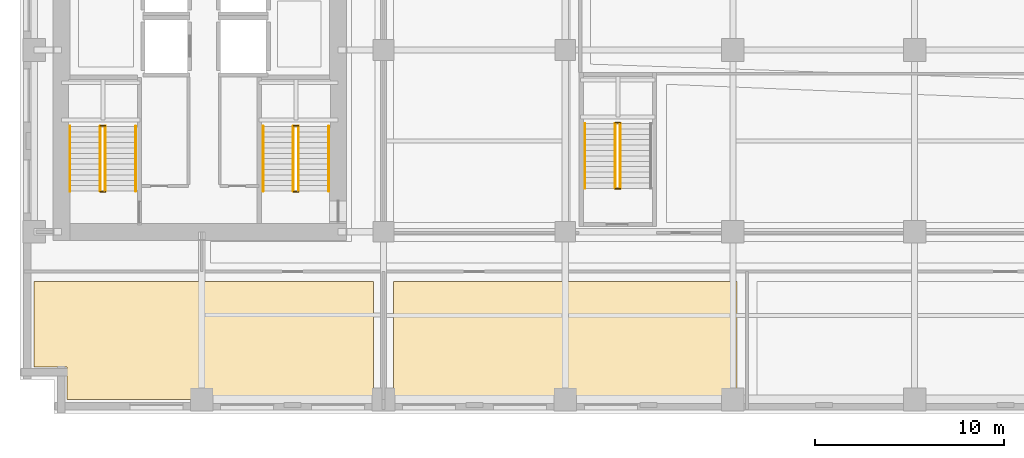
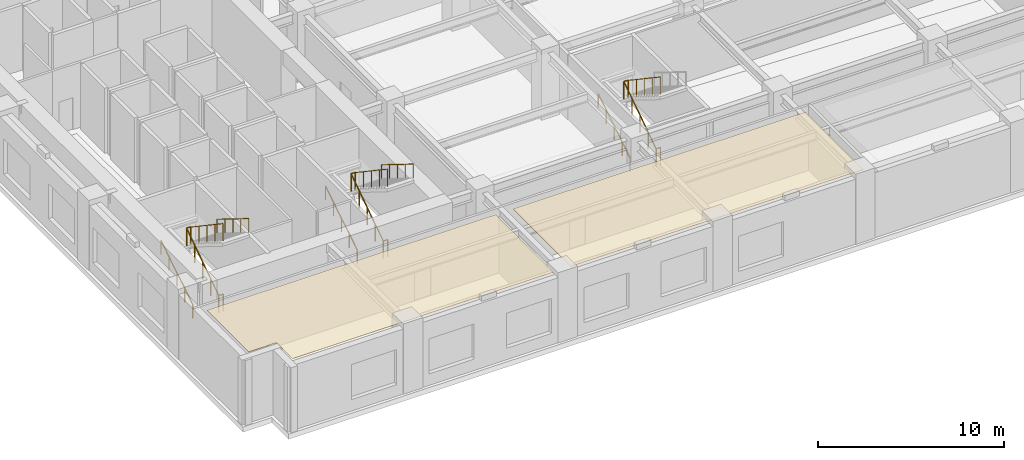
# One storey, part 18 of 24: 17 railings, 2 coverings.
"""IFC4 building model written with IfcOpenShell, lengths in metres."""

from ifc_helpers import new_model, si_unit, direction, frame, origin, origin_2d, place, context, subcontext, project, spatial, polyline, circle, outline, extrude, material, layer, layer_set, type_object, element, save


model = new_model("IFC4")

# Units and contexts
model_context = context("Model", 3, precision=1e-05, world=origin(), true_north=direction((0.0, 1.0)))
body_context = subcontext(model_context, "Body", "Model", "MODEL_VIEW")
ifc_project = project(units=[si_unit("LENGTHUNIT", "METRE"), si_unit("AREAUNIT", "SQUARE_METRE"), si_unit("VOLUMEUNIT", "CUBIC_METRE"), si_unit("PLANEANGLEUNIT", "RADIAN"), si_unit("MASSUNIT", "GRAM", prefix="KILO")], contexts=[model_context])

# Site, building, storey
site_placement = place(None, origin())
site = spatial("IfcSite", under=ifc_project, at=site_placement, CompositionType="ELEMENT")
building_placement = place(site_placement, origin())
building = spatial("IfcBuilding", under=site, at=building_placement, Name="Norrvale University Quadrangle", CompositionType="ELEMENT")
storey_placement = place(building_placement, frame((0.0, 0.0, 15.0)))
storey = spatial("IfcBuildingStorey", under=building, at=storey_placement, Name="L03", CompositionType="ELEMENT", Elevation=15.0)

# Coverings
ifc_material_1 = material(Name="Perforated Acoustic Mineral Ceiling")
ifc_layer = layer(ifc_material_1, 0.02490234375, Name="Perforated Acoustic Mineral Ceiling")
ifc_layer_set = layer_set([ifc_layer], Name="Perforated Acoustic Mineral Ceiling")
covering_type = type_object("IfcCoveringType", Name="Covering Acoustic Ceiling 25", PredefinedType="CEILING", material=ifc_layer_set)
covering_1_placement = place(storey_placement, frame((0.0, 0.0, 4.235107421875)))
element("IfcCovering", 1, at=covering_1_placement, inside=storey, type_object=covering_type, Name="Acoustic Ceiling RM-L03-S01", PredefinedType="CEILING", context=body_context, shape_type="SweptSolid", body=[
    extrude(outline(polyline([(0.75, 6.969970703125), (18.669921875, 6.969970703125), (18.669921875, 0.75), (2.469970703125, 0.75), (2.469970703125, 2.469970703125), (0.75, 2.469970703125), (0.75, 6.969970703125)])), origin(), (0.0, 0.0, 1.0), 0.02490234375),
])
covering_2_placement = place(storey_placement, frame((0.0, 0.0, 4.235107421875)))
element("IfcCovering", 2, at=covering_2_placement, inside=storey, type_object=covering_type, Name="Acoustic Ceiling RM-L03-S02", PredefinedType="CEILING", context=body_context, shape_type="SweptSolid", body=[
    extrude(outline(polyline([(19.72998046875, 6.969970703125), (37.8701171875, 6.969970703125), (37.8701171875, 0.75), (19.72998046875, 0.75), (19.72998046875, 6.969970703125)])), origin(), (0.0, 0.0, 1.0), 0.02490234375),
])

# Railings
ifc_material_2 = material(Name="Steel 350W Painted Balustrade", Category="steel")
railing_type_1 = type_object("IfcRailingType", Name="Railing Stair Guard 1100", PredefinedType="GUARDRAIL", material=ifc_material_2)
for number, where, name in (
    (3, (4.239990234375, 11.719970703125, 0.0), "Stair Floor Well Guard ST-01 L03"),
    (4, (4.239990234375, 15.199951171875, 2.300048828125), "Stair Mid-Landing Slot Guard ST-01 L03"),
):
    element("IfcRailing", number, at=place(storey_placement, frame(where)), inside=storey, type_object=railing_type_1, Name=name, PredefinedType="GUARDRAIL", context=body_context, shape_type="SweptSolid", body=[
        extrude(circle(Radius=0.02392578125, at=origin_2d()), frame((0.0, 0.0, 1.1259765625), z_axis=(1.0, 0.0, 0.0), x_axis=(0.0, 1.0, 0.0)), (0.0, 0.0, 1.0), 0.27001953125),
        extrude(circle(Radius=0.02099609375, at=origin_2d()), origin(), (0.0, 0.0, 1.0), 1.101806640625),
        extrude(circle(Radius=0.02099609375, at=origin_2d()), frame((0.27001953125, 0.0, 0.0)), (0.0, 0.0, 1.0), 1.101806640625),
    ])
railing_1_placement = place(storey_placement, frame((4.239990234375, 11.75, 0.0)))
element("IfcRailing", 5, at=railing_1_placement, inside=storey, type_object=railing_type_1, Name="Stair Lower Flight Inner Guard ST-01 L03", PredefinedType="GUARDRAIL", context=body_context, shape_type="SweptSolid", body=[
    extrude(circle(Radius=0.02392578125, at=origin_2d()), frame((0.0, 0.0, 1.1259765625), z_axis=(0.0, 0.8297924358, 0.55807214004), x_axis=(-1.0, 0.0, 0.0)), (0.0, 0.0, 1.0), 4.121337890625),
    extrude(circle(Radius=0.02099609375, at=origin_2d()), origin(), (0.0, 0.0, 1.0), 1.101806640625),
    extrude(circle(Radius=0.02099609375, at=origin_2d()), frame((0.0, 0.85498046875, 0.574951171875)), (0.0, 0.0, 1.0), 1.101806640625),
    extrude(circle(Radius=0.02099609375, at=origin_2d()), frame((0.0, 1.7099609375, 1.14990234375)), (0.0, 0.0, 1.0), 1.101806640625),
    extrude(circle(Radius=0.02099609375, at=origin_2d()), frame((0.0, 2.56494140625, 1.72509765625)), (0.0, 0.0, 1.0), 1.101806640625),
    extrude(circle(Radius=0.02099609375, at=origin_2d()), frame((0.0, 3.419921875, 2.300048828125)), (0.0, 0.0, 1.0), 1.101806640625),
])
railing_2_placement = place(storey_placement, frame((4.510009765625, 15.169921875, 2.300048828125)))
element("IfcRailing", 6, at=railing_2_placement, inside=storey, type_object=railing_type_1, Name="Stair Upper Flight Inner Guard ST-01 L03", PredefinedType="GUARDRAIL", context=body_context, shape_type="SweptSolid", body=[
    extrude(circle(Radius=0.02392578125, at=origin_2d()), frame((0.0, 0.0, 1.1259765625), z_axis=(0.0, -0.8297924358, 0.55807214004), x_axis=(1.0, 0.0, 0.0)), (0.0, 0.0, 1.0), 4.121337890625),
    extrude(circle(Radius=0.02099609375, at=origin_2d()), origin(), (0.0, 0.0, 1.0), 1.101806640625),
    extrude(circle(Radius=0.02099609375, at=origin_2d()), frame((0.0, -0.85498046875, 0.574951171875)), (0.0, 0.0, 1.0), 1.101806640625),
    extrude(circle(Radius=0.02099609375, at=origin_2d()), frame((0.0, -1.7099609375, 1.14990234375)), (0.0, 0.0, 1.0), 1.101806640625),
    extrude(circle(Radius=0.02099609375, at=origin_2d()), frame((0.0, -2.56494140625, 1.72509765625)), (0.0, 0.0, 1.0), 1.101806640625),
    extrude(circle(Radius=0.02099609375, at=origin_2d()), frame((0.0, -3.419921875, 2.300048828125)), (0.0, 0.0, 1.0), 1.101806640625),
])
for number, where, name in (
    (7, (14.43994140625, 11.719970703125, 0.0), "Stair Floor Well Guard ST-03 L03"),
    (8, (14.43994140625, 15.199951171875, 2.300048828125), "Stair Mid-Landing Slot Guard ST-03 L03"),
):
    element("IfcRailing", number, at=place(storey_placement, frame(where)), inside=storey, type_object=railing_type_1, Name=name, PredefinedType="GUARDRAIL", context=body_context, shape_type="SweptSolid", body=[
        extrude(circle(Radius=0.02392578125, at=origin_2d()), frame((0.0, 0.0, 1.1259765625), z_axis=(1.0, 0.0, 0.0), x_axis=(0.0, 1.0, 0.0)), (0.0, 0.0, 1.0), 0.27001953125),
        extrude(circle(Radius=0.02099609375, at=origin_2d()), origin(), (0.0, 0.0, 1.0), 1.101806640625),
        extrude(circle(Radius=0.02099609375, at=origin_2d()), frame((0.27001953125, 0.0, 0.0)), (0.0, 0.0, 1.0), 1.101806640625),
    ])
railing_3_placement = place(storey_placement, frame((14.43994140625, 11.75, 0.0)))
element("IfcRailing", 9, at=railing_3_placement, inside=storey, type_object=railing_type_1, Name="Stair Lower Flight Inner Guard ST-03 L03", PredefinedType="GUARDRAIL", context=body_context, shape_type="SweptSolid", body=[
    extrude(circle(Radius=0.02392578125, at=origin_2d()), frame((0.0, 0.0, 1.1259765625), z_axis=(0.0, 0.8297924358, 0.55807214004), x_axis=(-1.0, 0.0, 0.0)), (0.0, 0.0, 1.0), 4.121337890625),
    extrude(circle(Radius=0.02099609375, at=origin_2d()), origin(), (0.0, 0.0, 1.0), 1.101806640625),
    extrude(circle(Radius=0.02099609375, at=origin_2d()), frame((0.0, 0.85498046875, 0.574951171875)), (0.0, 0.0, 1.0), 1.101806640625),
    extrude(circle(Radius=0.02099609375, at=origin_2d()), frame((0.0, 1.7099609375, 1.14990234375)), (0.0, 0.0, 1.0), 1.101806640625),
    extrude(circle(Radius=0.02099609375, at=origin_2d()), frame((0.0, 2.56494140625, 1.72509765625)), (0.0, 0.0, 1.0), 1.101806640625),
    extrude(circle(Radius=0.02099609375, at=origin_2d()), frame((0.0, 3.419921875, 2.300048828125)), (0.0, 0.0, 1.0), 1.101806640625),
])
railing_4_placement = place(storey_placement, frame((14.7099609375, 15.169921875, 2.300048828125)))
element("IfcRailing", 10, at=railing_4_placement, inside=storey, type_object=railing_type_1, Name="Stair Upper Flight Inner Guard ST-03 L03", PredefinedType="GUARDRAIL", context=body_context, shape_type="SweptSolid", body=[
    extrude(circle(Radius=0.02392578125, at=origin_2d()), frame((0.0, 0.0, 1.1259765625), z_axis=(0.0, -0.8297924358, 0.55807214004), x_axis=(1.0, 0.0, 0.0)), (0.0, 0.0, 1.0), 4.121337890625),
    extrude(circle(Radius=0.02099609375, at=origin_2d()), origin(), (0.0, 0.0, 1.0), 1.101806640625),
    extrude(circle(Radius=0.02099609375, at=origin_2d()), frame((0.0, -0.85498046875, 0.574951171875)), (0.0, 0.0, 1.0), 1.101806640625),
    extrude(circle(Radius=0.02099609375, at=origin_2d()), frame((0.0, -1.7099609375, 1.14990234375)), (0.0, 0.0, 1.0), 1.101806640625),
    extrude(circle(Radius=0.02099609375, at=origin_2d()), frame((0.0, -2.56494140625, 1.72509765625)), (0.0, 0.0, 1.0), 1.101806640625),
    extrude(circle(Radius=0.02099609375, at=origin_2d()), frame((0.0, -3.419921875, 2.300048828125)), (0.0, 0.0, 1.0), 1.101806640625),
])
for number, where, name in (
    (11, (31.43994140625, 11.8701171875, 0.0), "Stair Floor Well Guard ST-04 L03"),
    (12, (31.43994140625, 15.35009765625, 2.300048828125), "Stair Mid-Landing Slot Guard ST-04 L03"),
):
    element("IfcRailing", number, at=place(storey_placement, frame(where)), inside=storey, type_object=railing_type_1, Name=name, PredefinedType="GUARDRAIL", context=body_context, shape_type="SweptSolid", body=[
        extrude(circle(Radius=0.02392578125, at=origin_2d()), frame((0.0, 0.0, 1.1259765625), z_axis=(1.0, 0.0, 0.0), x_axis=(0.0, 1.0, 0.0)), (0.0, 0.0, 1.0), 0.27001953125),
        extrude(circle(Radius=0.02099609375, at=origin_2d()), origin(), (0.0, 0.0, 1.0), 1.101806640625),
        extrude(circle(Radius=0.02099609375, at=origin_2d()), frame((0.27001953125, 0.0, 0.0)), (0.0, 0.0, 1.0), 1.101806640625),
    ])
railing_5_placement = place(storey_placement, frame((31.43994140625, 11.89990234375, 0.0)))
element("IfcRailing", 13, at=railing_5_placement, inside=storey, type_object=railing_type_1, Name="Stair Lower Flight Inner Guard ST-04 L03", PredefinedType="GUARDRAIL", context=body_context, shape_type="SweptSolid", body=[
    extrude(circle(Radius=0.02392578125, at=origin_2d()), frame((0.0, 0.0, 1.1259765625), z_axis=(0.0, 0.829810883491, 0.558044709356), x_axis=(-1.0, 0.0, 0.0)), (0.0, 0.0, 1.0), 4.12158203125),
    extrude(circle(Radius=0.02099609375, at=origin_2d()), origin(), (0.0, 0.0, 1.0), 1.101806640625),
    extrude(circle(Radius=0.02099609375, at=origin_2d()), frame((0.0, 0.85498046875, 0.574951171875)), (0.0, 0.0, 1.0), 1.101806640625),
    extrude(circle(Radius=0.02099609375, at=origin_2d()), frame((0.0, 1.7099609375, 1.14990234375)), (0.0, 0.0, 1.0), 1.101806640625),
    extrude(circle(Radius=0.02099609375, at=origin_2d()), frame((0.0, 2.565185546875, 1.72509765625)), (0.0, 0.0, 1.0), 1.101806640625),
    extrude(circle(Radius=0.02099609375, at=origin_2d()), frame((0.0, 3.420166015625, 2.300048828125)), (0.0, 0.0, 1.0), 1.101806640625),
])
railing_6_placement = place(storey_placement, frame((31.7099609375, 15.320068359375, 2.300048828125)))
element("IfcRailing", 14, at=railing_6_placement, inside=storey, type_object=railing_type_1, Name="Stair Upper Flight Inner Guard ST-04 L03", PredefinedType="GUARDRAIL", context=body_context, shape_type="SweptSolid", body=[
    extrude(circle(Radius=0.02392578125, at=origin_2d()), frame((0.0, 0.0, 1.1259765625), z_axis=(0.0, -0.829810883491, 0.558044709356), x_axis=(1.0, 0.0, 0.0)), (0.0, 0.0, 1.0), 4.12158203125),
    extrude(circle(Radius=0.02099609375, at=origin_2d()), origin(), (0.0, 0.0, 1.0), 1.101806640625),
    extrude(circle(Radius=0.02099609375, at=origin_2d()), frame((0.0, -0.85498046875, 0.574951171875)), (0.0, 0.0, 1.0), 1.101806640625),
    extrude(circle(Radius=0.02099609375, at=origin_2d()), frame((0.0, -1.7099609375, 1.14990234375)), (0.0, 0.0, 1.0), 1.101806640625),
    extrude(circle(Radius=0.02099609375, at=origin_2d()), frame((0.0, -2.565185546875, 1.72509765625)), (0.0, 0.0, 1.0), 1.101806640625),
    extrude(circle(Radius=0.02099609375, at=origin_2d()), frame((0.0, -3.420166015625, 2.300048828125)), (0.0, 0.0, 1.0), 1.101806640625),
])
ifc_material_3 = material(Name="Stainless Steel 316L Handrail", Category="steel")
railing_type_2 = type_object("IfcRailingType", Name="Railing Stair Handrail 920", PredefinedType="HANDRAIL", material=ifc_material_3)
railing_7_placement = place(storey_placement, frame((2.639892578125, 11.75, 0.177001953125)))
element("IfcRailing", 15, at=railing_7_placement, inside=storey, type_object=railing_type_2, Name="Stair Lower Flight Handrail ST-01 L03", PredefinedType="HANDRAIL", context=body_context, shape_type="SweptSolid", body=[
    extrude(circle(Radius=0.02392578125, at=origin_2d()), frame((0.0, 0.0, 0.89599609375), z_axis=(0.0, 0.849602680019, 0.527423251388), x_axis=(-1.0, 0.0, 0.0)), (0.0, 0.0, 1.0), 4.025390625),
    extrude(circle(Radius=0.02099609375, at=origin_2d()), origin(), (0.0, 0.0, 1.0), 0.871826171875),
    extrude(circle(Radius=0.02099609375, at=origin_2d()), frame((0.0, 0.85498046875, 0.53076171875)), (0.0, 0.0, 1.0), 0.871826171875),
    extrude(circle(Radius=0.02099609375, at=origin_2d()), frame((0.0, 1.7099609375, 1.0615234375)), (0.0, 0.0, 1.0), 0.871826171875),
    extrude(circle(Radius=0.02099609375, at=origin_2d()), frame((0.0, 2.56494140625, 1.59228515625)), (0.0, 0.0, 1.0), 0.871826171875),
    extrude(circle(Radius=0.02099609375, at=origin_2d()), frame((0.0, 3.419921875, 2.123046875)), (0.0, 0.0, 1.0), 0.871826171875),
])
railing_8_placement = place(storey_placement, frame((6.110107421875, 15.169921875, 2.476806640625)))
element("IfcRailing", 16, at=railing_8_placement, inside=storey, type_object=railing_type_2, Name="Stair Upper Flight Handrail ST-01 L03", PredefinedType="HANDRAIL", context=body_context, shape_type="SweptSolid", body=[
    extrude(circle(Radius=0.02392578125, at=origin_2d()), frame((0.0, 0.0, 0.89599609375), z_axis=(0.0, -0.849575501924, 0.527467028857), x_axis=(1.0, 0.0, 0.0)), (0.0, 0.0, 1.0), 4.025390625),
    extrude(circle(Radius=0.02099609375, at=origin_2d()), origin(), (0.0, 0.0, 1.0), 0.871826171875),
    extrude(circle(Radius=0.02099609375, at=origin_2d()), frame((0.0, -0.85498046875, 0.53076171875)), (0.0, 0.0, 1.0), 0.871826171875),
    extrude(circle(Radius=0.02099609375, at=origin_2d()), frame((0.0, -1.7099609375, 1.0615234375)), (0.0, 0.0, 1.0), 0.871826171875),
    extrude(circle(Radius=0.02099609375, at=origin_2d()), frame((0.0, -2.56494140625, 1.592529296875)), (0.0, 0.0, 1.0), 0.871826171875),
    extrude(circle(Radius=0.02099609375, at=origin_2d()), frame((0.0, -3.419921875, 2.123291015625)), (0.0, 0.0, 1.0), 0.871826171875),
])
railing_9_placement = place(storey_placement, frame((12.840087890625, 11.75, 0.177001953125)))
element("IfcRailing", 17, at=railing_9_placement, inside=storey, type_object=railing_type_2, Name="Stair Lower Flight Handrail ST-03 L03", PredefinedType="HANDRAIL", context=body_context, shape_type="SweptSolid", body=[
    extrude(circle(Radius=0.02392578125, at=origin_2d()), frame((0.0, 0.0, 0.89599609375), z_axis=(0.0, 0.849602680019, 0.527423251388), x_axis=(-1.0, 0.0, 0.0)), (0.0, 0.0, 1.0), 4.025390625),
    extrude(circle(Radius=0.02099609375, at=origin_2d()), origin(), (0.0, 0.0, 1.0), 0.871826171875),
    extrude(circle(Radius=0.02099609375, at=origin_2d()), frame((0.0, 0.85498046875, 0.53076171875)), (0.0, 0.0, 1.0), 0.871826171875),
    extrude(circle(Radius=0.02099609375, at=origin_2d()), frame((0.0, 1.7099609375, 1.0615234375)), (0.0, 0.0, 1.0), 0.871826171875),
    extrude(circle(Radius=0.02099609375, at=origin_2d()), frame((0.0, 2.56494140625, 1.59228515625)), (0.0, 0.0, 1.0), 0.871826171875),
    extrude(circle(Radius=0.02099609375, at=origin_2d()), frame((0.0, 3.419921875, 2.123046875)), (0.0, 0.0, 1.0), 0.871826171875),
])
railing_10_placement = place(storey_placement, frame((16.31005859375, 15.169921875, 2.476806640625)))
element("IfcRailing", 18, at=railing_10_placement, inside=storey, type_object=railing_type_2, Name="Stair Upper Flight Handrail ST-03 L03", PredefinedType="HANDRAIL", context=body_context, shape_type="SweptSolid", body=[
    extrude(circle(Radius=0.02392578125, at=origin_2d()), frame((0.0, 0.0, 0.89599609375), z_axis=(0.0, -0.849575501924, 0.527467028857), x_axis=(1.0, 0.0, 0.0)), (0.0, 0.0, 1.0), 4.025390625),
    extrude(circle(Radius=0.02099609375, at=origin_2d()), origin(), (0.0, 0.0, 1.0), 0.871826171875),
    extrude(circle(Radius=0.02099609375, at=origin_2d()), frame((0.0, -0.85498046875, 0.53076171875)), (0.0, 0.0, 1.0), 0.871826171875),
    extrude(circle(Radius=0.02099609375, at=origin_2d()), frame((0.0, -1.7099609375, 1.0615234375)), (0.0, 0.0, 1.0), 0.871826171875),
    extrude(circle(Radius=0.02099609375, at=origin_2d()), frame((0.0, -2.56494140625, 1.592529296875)), (0.0, 0.0, 1.0), 0.871826171875),
    extrude(circle(Radius=0.02099609375, at=origin_2d()), frame((0.0, -3.419921875, 2.123291015625)), (0.0, 0.0, 1.0), 0.871826171875),
])
railing_11_placement = place(storey_placement, frame((29.840087890625, 11.89990234375, 0.177001953125)))
element("IfcRailing", 19, at=railing_11_placement, inside=storey, type_object=railing_type_2, Name="Stair Lower Flight Handrail ST-04 L03", PredefinedType="HANDRAIL", context=body_context, shape_type="SweptSolid", body=[
    extrude(circle(Radius=0.02392578125, at=origin_2d()), frame((0.0, 0.0, 0.89599609375), z_axis=(0.0, 0.849619550393, 0.527396074682), x_axis=(-1.0, 0.0, 0.0)), (0.0, 0.0, 1.0), 4.025634765625),
    extrude(circle(Radius=0.02099609375, at=origin_2d()), origin(), (0.0, 0.0, 1.0), 0.871826171875),
    extrude(circle(Radius=0.02099609375, at=origin_2d()), frame((0.0, 0.85498046875, 0.53076171875)), (0.0, 0.0, 1.0), 0.871826171875),
    extrude(circle(Radius=0.02099609375, at=origin_2d()), frame((0.0, 1.7099609375, 1.0615234375)), (0.0, 0.0, 1.0), 0.871826171875),
    extrude(circle(Radius=0.02099609375, at=origin_2d()), frame((0.0, 2.565185546875, 1.59228515625)), (0.0, 0.0, 1.0), 0.871826171875),
    extrude(circle(Radius=0.02099609375, at=origin_2d()), frame((0.0, 3.420166015625, 2.123046875)), (0.0, 0.0, 1.0), 0.871826171875),
])

save(model, "model.ifc")
